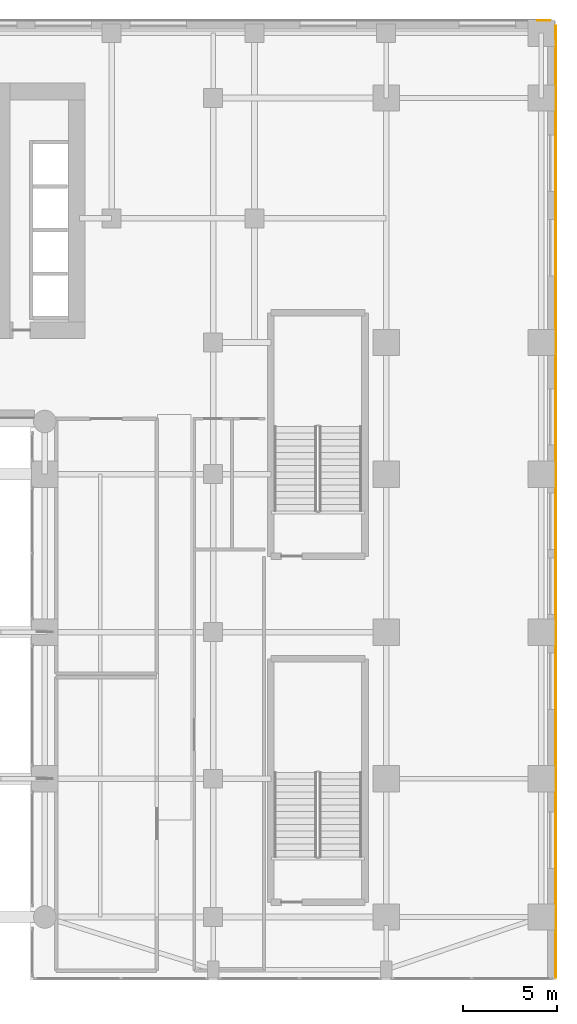
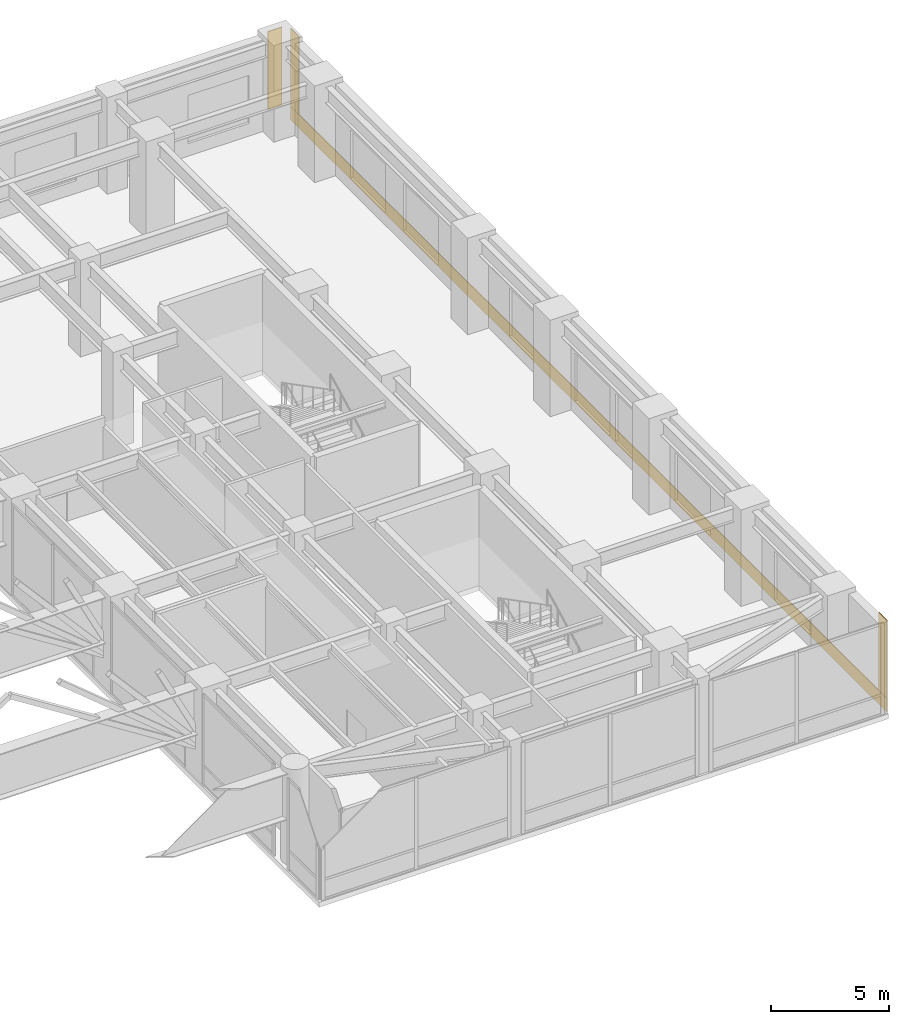
# One storey, part 39 of 39: 4 coverings.
"""IFC4 building model written with IfcOpenShell, lengths in metres."""

from ifc_helpers import new_model, si_unit, direction, frame, origin, place, context, subcontext, project, spatial, polyline, outline, extrude, material, layer, layer_set, type_object, element, save


model = new_model("IFC4")

# Units and contexts
model_context = context("Model", 3, precision=1e-05, world=origin(), true_north=direction((0.0, 1.0)))
body_context = subcontext(model_context, "Body", "Model", "MODEL_VIEW")
ifc_project = project(units=[si_unit("LENGTHUNIT", "METRE"), si_unit("AREAUNIT", "SQUARE_METRE"), si_unit("VOLUMEUNIT", "CUBIC_METRE"), si_unit("PLANEANGLEUNIT", "RADIAN"), si_unit("MASSUNIT", "GRAM", prefix="KILO")], contexts=[model_context])

# Site, building, storey
site_placement = place(None, origin())
site = spatial("IfcSite", under=ifc_project, at=site_placement, CompositionType="ELEMENT")
building_placement = place(site_placement, origin())
building = spatial("IfcBuilding", under=site, at=building_placement, Name="Tolvann Quenvar Hotel", CompositionType="ELEMENT")
storey_placement = place(building_placement, frame((0.0, 0.0, 11.0)))
storey = spatial("IfcBuildingStorey", under=building, at=storey_placement, Name="L02", CompositionType="ELEMENT", Elevation=11.0)

# Coverings
ifc_material_1 = material(Name="Kiln-fired red architectural face brick cladding", Category="masonry")
ifc_layer_1 = layer(ifc_material_1, 0.0400390625)
ifc_layer_set_1 = layer_set([ifc_layer_1], Name="Kiln-fired red architectural face brick cladding")
covering_type_1 = type_object("IfcCoveringType", Name="COV_CLAD_BRICK_40", PredefinedType="CLADDING", material=ifc_layer_set_1)
covering_1_placement = place(storey_placement, frame((0.0, 0.0, 0.699951171875)))
element("IfcCovering", 1, at=covering_1_placement, inside=storey, type_object=covering_type_1, Name="Brick Pier Cladding (L02-E05-P1)", PredefinedType="CLADDING", context=body_context, shape_type="SweptSolid", body=[
    extrude(outline(polyline([(65.39990234375, -2.360107421875), (65.39990234375, -1.659912109375), (65.43994140625, -1.659912109375), (65.43994140625, -2.360107421875), (65.39990234375, -2.360107421875)])), origin(), (0.0, 0.0, 1.0), 4.0400390625),
])
covering_2_placement = place(storey_placement, frame((0.0, 0.0, 0.699951171875)))
element("IfcCovering", 2, at=covering_2_placement, inside=storey, type_object=covering_type_1, Name="Brick Pier Cladding (L02-E05-P2)", PredefinedType="CLADDING", context=body_context, shape_type="SweptSolid", body=[
    extrude(outline(polyline([(65.39990234375, 47.5400390625), (65.39990234375, 48.239990234375), (65.43994140625, 48.239990234375), (65.43994140625, 47.5400390625), (65.39990234375, 47.5400390625)])), origin(), (0.0, 0.0, 1.0), 4.0400390625),
])
covering_3_placement = place(storey_placement, frame((0.0, 0.0, 0.699951171875)))
element("IfcCovering", 3, at=covering_3_placement, inside=storey, type_object=covering_type_1, Name="Brick Pier Cladding (L02-E06-P1)", PredefinedType="CLADDING", context=body_context, shape_type="SweptSolid", body=[
    extrude(outline(polyline([(65.139892578125, 48.5), (64.43994140625, 48.5), (64.43994140625, 48.5400390625), (65.139892578125, 48.5400390625), (65.139892578125, 48.5)])), origin(), (0.0, 0.0, 1.0), 4.0400390625),
])
ifc_material_2 = material(Name="Moulded buff architectural terracotta spandrel cladding", Category="masonry")
ifc_layer_2 = layer(ifc_material_2, 0.0400390625)
ifc_layer_set_2 = layer_set([ifc_layer_2], Name="Moulded buff architectural terracotta spandrel cladding")
covering_type_2 = type_object("IfcCoveringType", Name="COV_CLAD_TERRA_40", PredefinedType="CLADDING", material=ifc_layer_set_2)
covering_4_placement = place(storey_placement, origin())
element("IfcCovering", 4, at=covering_4_placement, inside=storey, type_object=covering_type_2, Name="Terracotta Spandrel Cladding (L02-E05)", PredefinedType="CLADDING", context=body_context, shape_type="SweptSolid", body=[
    extrude(outline(polyline([(65.39990234375, -2.3701171875), (65.39990234375, 48.25), (65.43994140625, 48.25), (65.43994140625, -2.3701171875), (65.39990234375, -2.3701171875)])), origin(), (0.0, 0.0, 1.0), 0.699951171875),
])

save(model, "model.ifc")
